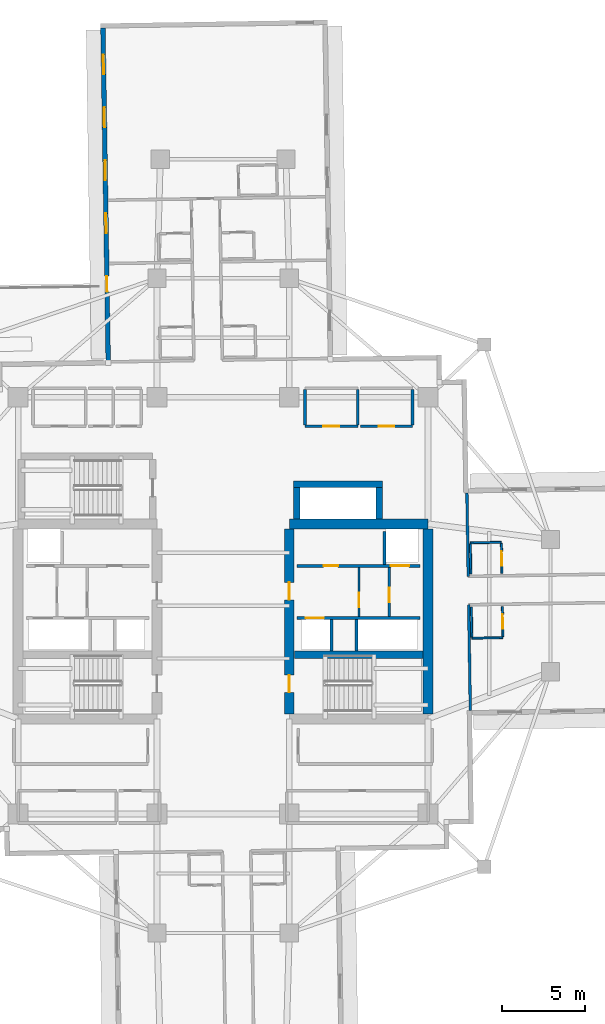
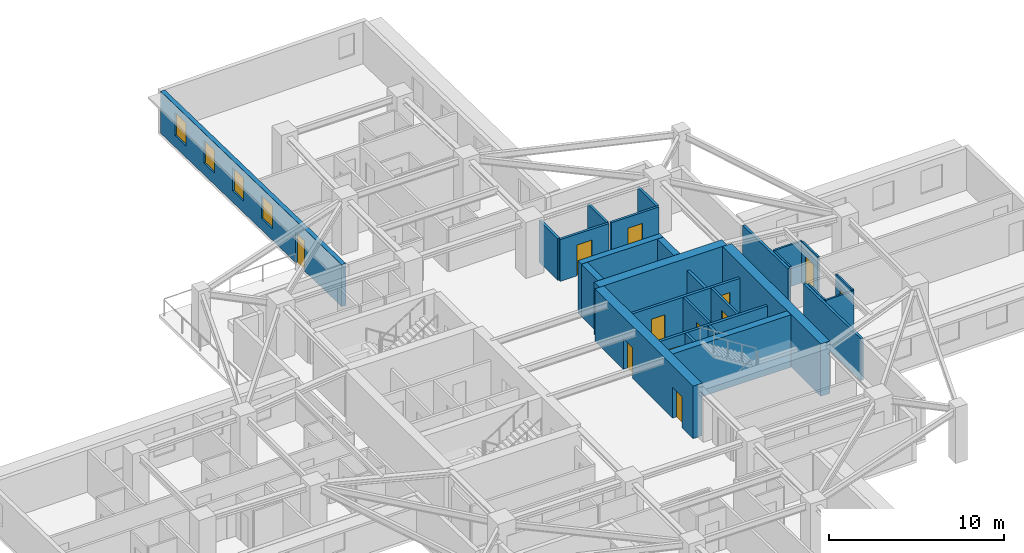
# One storey, part 6 of 13: 28 walls, 12 doors, 4 windows, 16 openings.
"""IFC4 building model written with IfcOpenShell, lengths in metres."""

from ifc_helpers import new_model, si_unit, direction, frame, frame_2d, origin, place, context, subcontext, project, spatial, rectangle, extrude, material, layer, layer_set, type_object, element, fill, save


model = new_model("IFC4")

# Units and contexts
model_context = context("Model", 3, precision=1e-05, world=origin(), true_north=direction((0.0, 1.0)))
body_context = subcontext(model_context, "Body", "Model", "MODEL_VIEW")
ifc_project = project(units=[si_unit("LENGTHUNIT", "METRE"), si_unit("AREAUNIT", "SQUARE_METRE"), si_unit("VOLUMEUNIT", "CUBIC_METRE"), si_unit("PLANEANGLEUNIT", "RADIAN"), si_unit("MASSUNIT", "GRAM", prefix="KILO")], contexts=[model_context])

# Site, building, storey
site_placement = place(None, origin())
site = spatial("IfcSite", under=ifc_project, at=site_placement, CompositionType="ELEMENT")
building_placement = place(site_placement, origin())
building = spatial("IfcBuilding", under=site, at=building_placement, Name="Qingluan Cross Belvedere", CompositionType="ELEMENT")
storey_placement = place(building_placement, frame((0.0, 0.0, 139.800048828125)))
storey = spatial("IfcBuildingStorey", under=building, at=storey_placement, Name="L35", CompositionType="ELEMENT", Elevation=139.800048828125)

# Walls
ifc_material_1 = material(Name="Concrete C50", Category="concrete")
ifc_layer_1 = layer(ifc_material_1, 0.449951171875, Name="CoreShearWall_450")
ifc_layer_set_1 = layer_set([ifc_layer_1], Name="Concrete C50")
wall_type_1 = type_object("IfcWallType", Name="CoreShearWall_450", PredefinedType="SHEAR", material=ifc_layer_set_1)
wall_1_placement = place(storey_placement, frame((4.304931640625, -2.9599609375, 0.0), z_axis=(0.0, 0.0, 1.0), x_axis=(1.0, 0.0, 0.0)))
element("IfcWall", 1, at=wall_1_placement, inside=storey, type_object=wall_type_1, Name="Split core E shear wall L35-M", PredefinedType="SHEAR", context=body_context, shape_type="SweptSolid", body=[
    extrude(rectangle(XDim=7.7900390625, YDim=0.449951171875, at=frame_2d((3.89501953125, 0.0))), origin(), (0.0, 0.0, 1.0), 3.64990234375),
])
wall_2_placement = place(storey_placement, frame((4.449951171875, 5.2548828125, 0.0), z_axis=(0.0, 0.0, 1.0), x_axis=(0.0, 1.0, 0.0)))
element("IfcWall", 2, at=wall_2_placement, inside=storey, type_object=wall_type_1, Name="Express shuttle core wall L35-W", PredefinedType="SHEAR", context=body_context, shape_type="SweptSolid", body=[
    extrude(rectangle(XDim=1.885009765625, YDim=0.39990234375, at=frame_2d((0.9423828125, 0.0))), origin(), (0.0, 0.0, 1.0), 3.64990234375),
])
wall_3_placement = place(storey_placement, frame((4.25, 7.35009765625, 0.0), z_axis=(0.0, 0.0, 1.0), x_axis=(1.0, 0.0, 0.0)))
element("IfcWall", 3, at=wall_3_placement, inside=storey, type_object=wall_type_1, Name="Express shuttle core wall L35-N", PredefinedType="SHEAR", context=body_context, shape_type="SweptSolid", body=[
    extrude(rectangle(XDim=5.39990234375, YDim=0.39990234375, at=frame_2d((2.699951171875, 0.0))), origin(), (0.0, 0.0, 1.0), 3.64990234375),
])
wall_4_placement = place(storey_placement, frame((9.449951171875, 5.2548828125, 0.0), z_axis=(0.0, 0.0, 1.0), x_axis=(0.0, 1.0, 0.0)))
element("IfcWall", 4, at=wall_4_placement, inside=storey, type_object=wall_type_1, Name="Express shuttle core wall L35-E", PredefinedType="SHEAR", context=body_context, shape_type="SweptSolid", body=[
    extrude(rectangle(XDim=1.885009765625, YDim=0.39990234375, at=frame_2d((0.9423828125, 0.0))), origin(), (0.0, 0.0, 1.0), 3.64990234375),
])
ifc_material_2 = material(Name="Concrete C60", Category="concrete")
ifc_layer_2 = layer(ifc_material_2, 0.60009765625, Name="CoreShearWall_600")
ifc_layer_set_2 = layer_set([ifc_layer_2], Name="Concrete C60")
wall_type_2 = type_object("IfcWallType", Name="CoreShearWall_600", PredefinedType="SHEAR", material=ifc_layer_set_2)
wall_5_placement = place(storey_placement, frame((4.0, 4.949951171875, 0.0), z_axis=(0.0, 0.0, 1.0), x_axis=(1.0, 0.0, 0.0)))
element("IfcWall", 5, at=wall_5_placement, inside=storey, type_object=wall_type_2, Name="Split core E shear wall L35-N", PredefinedType="SHEAR", context=body_context, shape_type="SweptSolid", body=[
    extrude(rectangle(XDim=8.39990234375, YDim=0.60009765625, at=frame_2d((4.199951171875, 0.0))), origin(), (0.0, 0.0, 1.0), 3.64990234375),
])

# Wall, openings, doors
wall_6_placement = place(storey_placement, frame((4.0, -6.544921875, 0.0), z_axis=(0.0, 0.0, 1.0), x_axis=(0.0, 1.0, 0.0)))
wall_6 = element("IfcWall", 6, at=wall_6_placement, inside=storey, type_object=wall_type_2, Name="Split core E shear wall L35-W", PredefinedType="SHEAR", context=body_context, shape_type="SweptSolid", body=[
    extrude(rectangle(XDim=11.18994140625, YDim=0.60009765625, at=frame_2d((5.594970703125, 0.0))), origin(), (0.0, 0.0, 1.0), 3.64990234375),
])
opening_1_placement = place(wall_6_placement, frame((1.294921875, 0.0, 0.0)))
opening_1 = element("IfcOpeningElement", 7, at=opening_1_placement, cuts=wall_6, Name="Opening FD-B11", PredefinedType="OPENING", context=body_context, shape_type="SweptSolid", body=[
    extrude(rectangle(XDim=1.050048828125, YDim=2.14990234375, at=frame_2d((0.52490234375, 1.074951171875))), frame((0.0, 0.31005859375, 0.0), z_axis=(0.0, -1.0, 0.0), x_axis=(1.0, 0.0, 0.0)), (0.0, 0.0, 1.0), 0.6201171875),
])
opening_2_placement = place(wall_6_placement, frame((6.89501953125, 0.0, 0.0)))
opening_2 = element("IfcOpeningElement", 8, at=opening_2_placement, cuts=wall_6, Name="Opening FD-B11", PredefinedType="OPENING", context=body_context, shape_type="SweptSolid", body=[
    extrude(rectangle(XDim=1.050048828125, YDim=2.14990234375, at=frame_2d((0.52490234375, 1.074951171875))), frame((0.0, 0.31005859375, 0.0), z_axis=(0.0, -1.0, 0.0), x_axis=(1.0, 0.0, 0.0)), (0.0, 0.0, 1.0), 0.6201171875),
])
ifc_material_3 = material(Name="Steel Class B smoke-seal fire door", Category="steel")
door_type_1 = type_object("IfcDoorType", Name="StairLobbyFireDoor_FDB", OperationType="NOTDEFINED", PredefinedType="DOOR", material=ifc_material_3)
door_1_placement = place(opening_1_placement, origin())
door_1 = element("IfcDoor", 9, at=door_1_placement, inside=storey, type_object=door_type_1, Name="Smoke-proof stair ST2 fire door L35", OperationType="SINGLE_SWING_RIGHT", OverallHeight=2.14990234375, OverallWidth=1.050048828125, PredefinedType="DOOR", context=body_context, shape_type="SweptSolid", body=[
    extrude(rectangle(XDim=1.050048828125, YDim=2.14990234375, at=frame_2d((0.52490234375, 1.074951171875))), frame((0.0, 0.02490234375, 0.0), z_axis=(0.0, -1.0, 0.0), x_axis=(1.0, 0.0, 0.0)), (0.0, 0.0, 1.0), 0.050048828125),
])
fill(opening_1, door_1)
door_2_placement = place(opening_2_placement, origin())
door_2 = element("IfcDoor", 10, at=door_2_placement, inside=storey, type_object=door_type_1, Name="Firefighting lobby East fire door L35", OperationType="SINGLE_SWING_RIGHT", OverallHeight=2.14990234375, OverallWidth=1.050048828125, PredefinedType="DOOR", context=body_context, shape_type="SweptSolid", body=[
    extrude(rectangle(XDim=1.050048828125, YDim=2.14990234375, at=frame_2d((0.52490234375, 1.074951171875))), frame((0.0, 0.02490234375, 0.0), z_axis=(0.0, -1.0, 0.0), x_axis=(1.0, 0.0, 0.0)), (0.0, 0.0, 1.0), 0.050048828125),
])
fill(opening_2, door_2)

# Wall
wall_7_placement = place(storey_placement, frame((12.39990234375, -6.544921875, 0.0), z_axis=(0.0, 0.0, 1.0), x_axis=(0.0, 1.0, 0.0)))
element("IfcWall", 11, at=wall_7_placement, inside=storey, type_object=wall_type_2, Name="Split core E shear wall L35-E", PredefinedType="SHEAR", context=body_context, shape_type="SweptSolid", body=[
    extrude(rectangle(XDim=11.18994140625, YDim=0.60009765625, at=frame_2d((5.594970703125, 0.0))), origin(), (0.0, 0.0, 1.0), 3.64990234375),
])

# Wall, opening, door
ifc_material_4 = material(Name="Gypsum plasterboard on steel stud acoustic partition", Category="steel")
ifc_layer_3 = layer(ifc_material_4, 0.159912109375, Name="CorridorPartition_160")
ifc_layer_set_3 = layer_set([ifc_layer_3], Name="Gypsum plasterboard on steel stud acoustic partition")
wall_type_3 = type_object("IfcWallType", Name="CorridorPartition_160", PredefinedType="PARTITIONING", material=ifc_layer_set_3)
wall_8_placement = place(storey_placement, frame((10.050048828125, -0.652099609375, 0.0), z_axis=(0.0, 0.0, 1.0), x_axis=(0.0, 1.0, 0.0)))
wall_8 = element("IfcWall", 12, at=wall_8_placement, inside=storey, type_object=wall_type_3, Name="Partition L35:ev", PredefinedType="PARTITIONING", context=body_context, shape_type="SweptSolid", body=[
    extrude(rectangle(XDim=2.962158203125, YDim=0.139892578125, at=frame_2d((1.48095703125, 0.0))), origin(), (0.0, 0.0, 1.0), 2.909912109375),
])
opening_3_placement = place(wall_8_placement, frame((0.85009765625, 0.0, 0.0)))
opening_3 = element("IfcOpeningElement", 13, at=opening_3_placement, cuts=wall_8, Name="Opening FD-B10", PredefinedType="OPENING", context=body_context, shape_type="SweptSolid", body=[
    extrude(rectangle(XDim=0.8798828125, YDim=2.10009765625, at=frame_2d((0.43994140625, 1.050048828125))), frame((0.0, 0.079833984375, 0.0), z_axis=(0.0, -1.0, 0.0), x_axis=(1.0, 0.0, 0.0)), (0.0, 0.0, 1.0), 0.159912109375),
])
ifc_material_5 = material(Name="Steel Class B service fire door", Category="steel")
door_type_2 = type_object("IfcDoorType", Name="RiserServiceFireDoor_FDB", OperationType="NOTDEFINED", PredefinedType="DOOR", material=ifc_material_5)
door_3_placement = place(opening_3_placement, origin())
door_3 = element("IfcDoor", 14, at=door_3_placement, inside=storey, type_object=door_type_2, Name="Service closet inner door L35", OperationType="SINGLE_SWING_LEFT", OverallHeight=2.10009765625, OverallWidth=0.8798828125, PredefinedType="DOOR", context=body_context, shape_type="SweptSolid", body=[
    extrude(rectangle(XDim=0.8798828125, YDim=2.10009765625, at=frame_2d((0.43994140625, 1.050048828125))), frame((0.0, 0.02490234375, 0.0), z_axis=(0.0, -1.0, 0.0), x_axis=(1.0, 0.0, 0.0)), (0.0, 0.0, 1.0), 0.050048828125),
])
fill(opening_3, door_3)

wall_9_placement = place(storey_placement, frame((4.949951171875, 10.85009765625, 0.0), z_axis=(0.0, 0.0, 1.0), x_axis=(1.0, 0.0, 0.0)))
wall_9 = element("IfcWall", 15, at=wall_9_placement, inside=storey, type_object=wall_type_3, Name="Partition L35:q_ne1:S", PredefinedType="PARTITIONING", context=body_context, shape_type="SweptSolid", body=[
    extrude(rectangle(XDim=3.199951171875, YDim=0.159912109375, at=frame_2d((1.60009765625, 0.0))), origin(), (0.0, 0.0, 1.0), 2.909912109375),
])
opening_4_placement = place(wall_9_placement, frame((1.1201171875, 0.0, 0.0)))
opening_4 = element("IfcOpeningElement", 16, at=opening_4_placement, cuts=wall_9, Name="Opening GD-10", PredefinedType="OPENING", context=body_context, shape_type="SweptSolid", body=[
    extrude(rectangle(XDim=0.9599609375, YDim=2.14990234375, at=frame_2d((0.47998046875, 1.074951171875))), frame((0.0, 0.08984375, 0.0), z_axis=(0.0, -1.0, 0.0), x_axis=(1.0, 0.0, 0.0)), (0.0, 0.0, 1.0), 0.179931640625),
])
ifc_material_6 = material(Name="Timber oak fire-rated acoustic guestroom door", Category="wood")
door_type_3 = type_object("IfcDoorType", Name="GuestEntryDoor_FD60", OperationType="NOTDEFINED", PredefinedType="DOOR", material=ifc_material_6)
door_4_placement = place(opening_4_placement, origin())
door_4 = element("IfcDoor", 17, at=door_4_placement, inside=storey, type_object=door_type_3, Name="Boardroom seminar suite L35 door", OperationType="SINGLE_SWING_LEFT", OverallHeight=2.14990234375, OverallWidth=0.9599609375, PredefinedType="DOOR", context=body_context, shape_type="SweptSolid", body=[
    extrude(rectangle(XDim=0.9599609375, YDim=2.14990234375, at=frame_2d((0.47998046875, 1.074951171875))), frame((0.0, 0.02490234375, 0.0), z_axis=(0.0, -1.0, 0.0), x_axis=(1.0, 0.0, 0.0)), (0.0, 0.0, 1.0), 0.050048828125),
])
fill(opening_4, door_4)

# Walls
for number, where, z_axis, x_axis, name in (
    (18, (4.949951171875, 10.93505859375, 0.0), (0.0, 0.0, 1.0), (0.0, 1.0, 0.0), "Partition L35:q_ne1:W"),
    (19, (8.14990234375, 10.93505859375, 0.0), (0.0, 0.0, 1.0), (0.0, 1.0, 0.0), "Partition L35:q_ne1:E"),
):
    element("IfcWall", number, at=place(storey_placement, frame(where, z_axis=z_axis, x_axis=x_axis)), inside=storey, type_object=wall_type_3, Name=name, PredefinedType="PARTITIONING", context=body_context, shape_type="SweptSolid", body=[
        extrude(rectangle(XDim=2.1298828125, YDim=0.159912109375, at=frame_2d((1.06494140625, 0.0))), origin(), (0.0, 0.0, 1.0), 2.909912109375),
    ])

# Wall, opening, door
wall_10_placement = place(storey_placement, frame((8.31005859375, 10.85009765625, 0.0), z_axis=(0.0, 0.0, 1.0), x_axis=(1.0, 0.0, 0.0)))
wall_10 = element("IfcWall", 20, at=wall_10_placement, inside=storey, type_object=wall_type_3, Name="Partition L35:q_ne2:S", PredefinedType="PARTITIONING", context=body_context, shape_type="SweptSolid", body=[
    extrude(rectangle(XDim=3.139892578125, YDim=0.159912109375, at=frame_2d((1.56982421875, 0.0))), origin(), (0.0, 0.0, 1.0), 2.909912109375),
])
opening_5_placement = place(wall_10_placement, frame((1.090087890625, 0.0, 0.0)))
opening_5 = element("IfcOpeningElement", 21, at=opening_5_placement, cuts=wall_10, Name="Opening GD-10", PredefinedType="OPENING", context=body_context, shape_type="SweptSolid", body=[
    extrude(rectangle(XDim=0.9599609375, YDim=2.14990234375, at=frame_2d((0.47998046875, 1.074951171875))), frame((0.0, 0.08984375, 0.0), z_axis=(0.0, -1.0, 0.0), x_axis=(1.0, 0.0, 0.0)), (0.0, 0.0, 1.0), 0.179931640625),
])
door_5_placement = place(opening_5_placement, origin())
door_5 = element("IfcDoor", 22, at=door_5_placement, inside=storey, type_object=door_type_3, Name="Northeast quiet study L35 door", OperationType="SINGLE_SWING_RIGHT", OverallHeight=2.14990234375, OverallWidth=0.9599609375, PredefinedType="DOOR", context=body_context, shape_type="SweptSolid", body=[
    extrude(rectangle(XDim=0.9599609375, YDim=2.14990234375, at=frame_2d((0.47998046875, 1.074951171875))), frame((0.0, 0.02490234375, 0.0), z_axis=(0.0, -1.0, 0.0), x_axis=(1.0, 0.0, 0.0)), (0.0, 0.0, 1.0), 0.050048828125),
])
fill(opening_5, door_5)

# Walls
wall_11_placement = place(storey_placement, frame((11.449951171875, 10.93505859375, 0.0), z_axis=(0.0, 0.0, 1.0), x_axis=(0.0, 1.0, 0.0)))
element("IfcWall", 23, at=wall_11_placement, inside=storey, type_object=wall_type_3, Name="Partition L35:q_ne2:E", PredefinedType="PARTITIONING", context=body_context, shape_type="SweptSolid", body=[
    extrude(rectangle(XDim=2.1298828125, YDim=0.159912109375, at=frame_2d((1.06494140625, 0.0))), origin(), (0.0, 0.0, 1.0), 2.909912109375),
])
wall_12_placement = place(storey_placement, frame((14.823974609375, 1.773193359375, 0.0), z_axis=(0.0, 0.0, 1.0), x_axis=(-0.015720106939, 0.999876431484, 0.0)))
element("IfcWall", 24, at=wall_12_placement, inside=storey, type_object=wall_type_3, Name="Partition L35:E:s0", PredefinedType="PARTITIONING", context=body_context, shape_type="SweptSolid", body=[
    extrude(rectangle(XDim=5.031982421875, YDim=0.159912109375, at=frame_2d((2.51611328125, 0.0))), origin(), (0.0, 0.0, 1.0), 2.909912109375),
])
wall_13_placement = place(storey_placement, frame((14.85107421875, 0.05322265625, 0.0), z_axis=(0.0, 0.0, 1.0), x_axis=(0.015698271615, -0.999876774542, 0.0)))
element("IfcWall", 25, at=wall_13_placement, inside=storey, type_object=wall_type_3, Name="Partition L35:E:s1", PredefinedType="PARTITIONING", context=body_context, shape_type="SweptSolid", body=[
    extrude(rectangle(XDim=6.391845703125, YDim=0.159912109375, at=frame_2d((3.19580078125, 0.0))), origin(), (0.0, 0.0, 1.0), 2.909912109375),
])

# Wall, opening, door
ifc_material_7 = material(Name="Moisture-resistant gypsum board lining")
ifc_layer_4 = layer(ifc_material_7, 0.1201171875, Name="EnsuiteWetPartition_120")
ifc_layer_set_4 = layer_set([ifc_layer_4], Name="Moisture-resistant gypsum board lining")
wall_type_4 = type_object("IfcWallType", Name="EnsuiteWetPartition_120", PredefinedType="PARTITIONING", material=ifc_layer_set_4)
wall_14_placement = place(storey_placement, frame((16.861572265625, 1.945068359375, 0.0), z_axis=(0.0, 0.0, 1.0), x_axis=(-0.015694337248, 0.999876836305, 0.0)))
wall_14 = element("IfcWall", 26, at=wall_14_placement, inside=storey, type_object=wall_type_4, Name="Partition L35:E:bs0_0", PredefinedType="PARTITIONING", context=body_context, shape_type="SweptSolid", body=[
    extrude(rectangle(XDim=1.820068359375, YDim=0.1201171875, at=frame_2d((0.91015625, 0.0))), origin(), (0.0, 0.0, 1.0), 2.909912109375),
])
opening_6_placement = place(wall_14_placement, frame((0.469970703125, 0.0, 0.0)))
opening_6 = element("IfcOpeningElement", 27, at=opening_6_placement, cuts=wall_14, Name="Opening BD-09", PredefinedType="OPENING", context=body_context, shape_type="SweptSolid", body=[
    extrude(rectangle(XDim=0.8798828125, YDim=2.10009765625, at=frame_2d((0.43994140625, 1.050048828125))), frame((0.0, 0.070068359375, 0.0), z_axis=(0.0, -1.0, 0.0), x_axis=(1.0, 0.0, 0.0)), (0.0, 0.0, 1.0), 0.14013671875),
])
ifc_material_8 = material(Name="Moisture-sealed timber en-suite door", Category="wood")
door_type_4 = type_object("IfcDoorType", Name="BathroomDoor_880", OperationType="NOTDEFINED", PredefinedType="DOOR", material=ifc_material_8)
door_6_placement = place(opening_6_placement, origin())
door_6 = element("IfcDoor", 28, at=door_6_placement, inside=storey, type_object=door_type_4, Name="Bathroom door 3501", OperationType="SINGLE_SWING_LEFT", OverallHeight=2.10009765625, OverallWidth=0.8798828125, PredefinedType="DOOR", context=body_context, shape_type="SweptSolid", body=[
    extrude(rectangle(XDim=0.8798828125, YDim=2.10009765625, at=frame_2d((0.43994140625, 1.050048828125))), frame((0.0, 0.02490234375, 0.0), z_axis=(0.0, -1.0, 0.0), x_axis=(1.0, 0.0, 0.0)), (0.0, 0.0, 1.0), 0.050048828125),
])
fill(opening_6, door_6)

# Walls
wall_15_placement = place(storey_placement, frame((14.981689453125, 1.91552734375, 0.0), z_axis=(0.0, 0.0, 1.0), x_axis=(-0.015694337248, 0.999876836305, 0.0)))
element("IfcWall", 29, at=wall_15_placement, inside=storey, type_object=wall_type_4, Name="Partition L35:E:bw0_0", PredefinedType="PARTITIONING", context=body_context, shape_type="SweptSolid", body=[
    extrude(rectangle(XDim=1.820068359375, YDim=0.1201171875, at=frame_2d((0.91015625, 0.0))), origin(), (0.0, 0.0, 1.0), 2.909912109375),
])
wall_16_placement = place(storey_placement, frame((14.9521484375, 3.80029296875, 0.0), z_axis=(0.0, 0.0, 1.0), x_axis=(0.99987652141, 0.015714386166, 0.0)))
element("IfcWall", 30, at=wall_16_placement, inside=storey, type_object=wall_type_4, Name="Partition L35:E:bn0_0", PredefinedType="PARTITIONING", context=body_context, shape_type="SweptSolid", body=[
    extrude(rectangle(XDim=1.8798828125, YDim=0.1201171875, at=frame_2d((0.93994140625, 0.0))), origin(), (0.0, 0.0, 1.0), 2.909912109375),
])

# Wall, opening, door
wall_17_placement = place(storey_placement, frame((16.92138671875, -1.87451171875, 0.0), z_axis=(0.0, 0.0, 1.0), x_axis=(-0.015694337248, 0.999876836305, 0.0)))
wall_17 = element("IfcWall", 31, at=wall_17_placement, inside=storey, type_object=wall_type_4, Name="Partition L35:E:bs1_0", PredefinedType="PARTITIONING", context=body_context, shape_type="SweptSolid", body=[
    extrude(rectangle(XDim=1.820068359375, YDim=0.1201171875, at=frame_2d((0.91015625, 0.0))), origin(), (0.0, 0.0, 1.0), 2.909912109375),
])
opening_7_placement = place(wall_17_placement, frame((0.469970703125, 0.0, 0.0)))
opening_7 = element("IfcOpeningElement", 32, at=opening_7_placement, cuts=wall_17, Name="Opening BD-09", PredefinedType="OPENING", context=body_context, shape_type="SweptSolid", body=[
    extrude(rectangle(XDim=0.8798828125, YDim=2.10009765625, at=frame_2d((0.43994140625, 1.050048828125))), frame((0.0, 0.070068359375, 0.0), z_axis=(0.0, -1.0, 0.0), x_axis=(1.0, 0.0, 0.0)), (0.0, 0.0, 1.0), 0.14013671875),
])
door_7_placement = place(opening_7_placement, origin())
door_7 = element("IfcDoor", 33, at=door_7_placement, inside=storey, type_object=door_type_4, Name="Bathroom door 3502", OperationType="SINGLE_SWING_LEFT", OverallHeight=2.10009765625, OverallWidth=0.8798828125, PredefinedType="DOOR", context=body_context, shape_type="SweptSolid", body=[
    extrude(rectangle(XDim=0.8798828125, YDim=2.10009765625, at=frame_2d((0.43994140625, 1.050048828125))), frame((0.0, 0.02490234375, 0.0), z_axis=(0.0, -1.0, 0.0), x_axis=(1.0, 0.0, 0.0)), (0.0, 0.0, 1.0), 0.050048828125),
])
fill(opening_7, door_7)

# Walls
wall_18_placement = place(storey_placement, frame((15.041748046875, -1.904052734375, 0.0), z_axis=(0.0, 0.0, 1.0), x_axis=(-0.015694337248, 0.999876836305, 0.0)))
element("IfcWall", 34, at=wall_18_placement, inside=storey, type_object=wall_type_4, Name="Partition L35:E:bw1_0", PredefinedType="PARTITIONING", context=body_context, shape_type="SweptSolid", body=[
    extrude(rectangle(XDim=1.820068359375, YDim=0.1201171875, at=frame_2d((0.91015625, 0.0))), origin(), (0.0, 0.0, 1.0), 2.909912109375),
])
wall_19_placement = place(storey_placement, frame((15.042724609375, -1.968994140625, 0.0), z_axis=(0.0, 0.0, 1.0), x_axis=(0.999876553475, 0.01571234584, 0.0)))
element("IfcWall", 35, at=wall_19_placement, inside=storey, type_object=wall_type_4, Name="Partition L35:E:bc1_0", PredefinedType="PARTITIONING", context=body_context, shape_type="SweptSolid", body=[
    extrude(rectangle(XDim=1.880126953125, YDim=0.1201171875, at=frame_2d((0.93994140625, 0.0))), origin(), (0.0, 0.0, 1.0), 2.909912109375),
])

# Wall, openings, windows, door
ifc_material_9 = material(Name="Precast concrete C45", Category="concrete")
ifc_layer_5 = layer(ifc_material_9, 0.280029296875, Name="PrecastFacadeWall_280")
ifc_layer_set_5 = layer_set([ifc_layer_5], Name="Precast concrete C45")
wall_type_5 = type_object("IfcWallType", Name="PrecastFacadeWall_280", PredefinedType="STANDARD", material=ifc_layer_set_5)
wall_20_placement = place(storey_placement, frame((-7.26953125, 34.93017578125, 0.0), z_axis=(0.0, 0.0, 1.0), x_axis=(0.015705059908, -0.999876667941, 0.0)))
wall_20 = element("IfcWall", 36, at=wall_20_placement, inside=storey, type_object=wall_type_5, Name="Facade wall L35-NB", PredefinedType="STANDARD", context=body_context, shape_type="SweptSolid", body=[
    extrude(rectangle(XDim=20.10009765625, YDim=0.280029296875, at=frame_2d((10.050048828125, 0.0))), origin(), (0.0, 0.0, 1.0), 2.919921875),
])
opening_8_placement = place(wall_20_placement, frame((1.60009765625, 0.0, 0.800048828125)))
opening_8 = element("IfcOpeningElement", 37, at=opening_8_placement, cuts=wall_20, Name="Opening W-02", PredefinedType="OPENING", context=body_context, shape_type="SweptSolid", body=[
    extrude(rectangle(XDim=1.199951171875, YDim=1.60009765625, at=frame_2d((0.60009765625, 0.800048828125))), frame((0.0, 0.14990234375, 0.0), z_axis=(0.0, -1.0, 0.0), x_axis=(1.0, 0.0, 0.0)), (0.0, 0.0, 1.0), 0.300048828125),
])
opening_9_placement = place(wall_20_placement, frame((4.800048828125, 0.0, 0.800048828125)))
opening_9 = element("IfcOpeningElement", 38, at=opening_9_placement, cuts=wall_20, Name="Opening W-02", PredefinedType="OPENING", context=body_context, shape_type="SweptSolid", body=[
    extrude(rectangle(XDim=1.199951171875, YDim=1.60009765625, at=frame_2d((0.60009765625, 0.800048828125))), frame((0.0, 0.14990234375, 0.0), z_axis=(0.0, -1.0, 0.0), x_axis=(1.0, 0.0, 0.0)), (0.0, 0.0, 1.0), 0.300048828125),
])
opening_10_placement = place(wall_20_placement, frame((8.0, 0.0, 0.800048828125)))
opening_10 = element("IfcOpeningElement", 39, at=opening_10_placement, cuts=wall_20, Name="Opening W-02", PredefinedType="OPENING", context=body_context, shape_type="SweptSolid", body=[
    extrude(rectangle(XDim=1.199951171875, YDim=1.60009765625, at=frame_2d((0.60009765625, 0.800048828125))), frame((0.0, 0.14990234375, 0.0), z_axis=(0.0, -1.0, 0.0), x_axis=(1.0, 0.0, 0.0)), (0.0, 0.0, 1.0), 0.300048828125),
])
opening_11_placement = place(wall_20_placement, frame((11.199951171875, 0.0, 0.800048828125)))
opening_11 = element("IfcOpeningElement", 40, at=opening_11_placement, cuts=wall_20, Name="Opening W-02", PredefinedType="OPENING", context=body_context, shape_type="SweptSolid", body=[
    extrude(rectangle(XDim=1.199951171875, YDim=1.60009765625, at=frame_2d((0.60009765625, 0.800048828125))), frame((0.0, 0.14990234375, 0.0), z_axis=(0.0, -1.0, 0.0), x_axis=(1.0, 0.0, 0.0)), (0.0, 0.0, 1.0), 0.300048828125),
])
opening_12_placement = place(wall_20_placement, frame((15.0, 0.0, 0.0)))
opening_12 = element("IfcOpeningElement", 41, at=opening_12_placement, cuts=wall_20, Name="Opening WD-10", PredefinedType="OPENING", context=body_context, shape_type="SweptSolid", body=[
    extrude(rectangle(XDim=0.9599609375, YDim=2.10009765625, at=frame_2d((0.47998046875, 1.050048828125))), frame((0.0, 0.14990234375, 0.0), z_axis=(0.0, -1.0, 0.0), x_axis=(1.0, 0.0, 0.0)), (0.0, 0.0, 1.0), 0.300048828125),
])
ifc_material_10 = material(Name="Thermally broken triple Low-E glass in aluminium frame", Category="aluminium")
window_type = type_object("IfcWindowType", Name="TriRibbonWin_1200x1600", PartitioningType="SINGLE_PANEL", PredefinedType="WINDOW", material=ifc_material_10)
window_1_placement = place(opening_8_placement, origin())
window_1 = element("IfcWindow", 42, at=window_1_placement, inside=storey, type_object=window_type, Name="Ribbon window L35-NB-1", OverallHeight=1.60009765625, OverallWidth=1.199951171875, PartitioningType="SINGLE_PANEL", PredefinedType="WINDOW", context=body_context, shape_type="SweptSolid", body=[
    extrude(rectangle(XDim=1.199951171875, YDim=1.60009765625, at=frame_2d((0.60009765625, 0.800048828125))), frame((0.0, 0.030029296875, 0.0), z_axis=(0.0, -1.0, 0.0), x_axis=(1.0, 0.0, 0.0)), (0.0, 0.0, 1.0), 0.06005859375),
])
fill(opening_8, window_1)
window_2_placement = place(opening_9_placement, origin())
window_2 = element("IfcWindow", 43, at=window_2_placement, inside=storey, type_object=window_type, Name="Ribbon window L35-NB-2", OverallHeight=1.60009765625, OverallWidth=1.199951171875, PartitioningType="SINGLE_PANEL", PredefinedType="WINDOW", context=body_context, shape_type="SweptSolid", body=[
    extrude(rectangle(XDim=1.199951171875, YDim=1.60009765625, at=frame_2d((0.60009765625, 0.800048828125))), frame((0.0, 0.030029296875, 0.0), z_axis=(0.0, -1.0, 0.0), x_axis=(1.0, 0.0, 0.0)), (0.0, 0.0, 1.0), 0.06005859375),
])
fill(opening_9, window_2)
window_3_placement = place(opening_10_placement, origin())
window_3 = element("IfcWindow", 44, at=window_3_placement, inside=storey, type_object=window_type, Name="Ribbon window L35-NB-3", OverallHeight=1.60009765625, OverallWidth=1.199951171875, PartitioningType="SINGLE_PANEL", PredefinedType="WINDOW", context=body_context, shape_type="SweptSolid", body=[
    extrude(rectangle(XDim=1.199951171875, YDim=1.60009765625, at=frame_2d((0.60009765625, 0.800048828125))), frame((0.0, 0.030029296875, 0.0), z_axis=(0.0, -1.0, 0.0), x_axis=(1.0, 0.0, 0.0)), (0.0, 0.0, 1.0), 0.06005859375),
])
fill(opening_10, window_3)
window_4_placement = place(opening_11_placement, origin())
window_4 = element("IfcWindow", 45, at=window_4_placement, inside=storey, type_object=window_type, Name="Ribbon window L35-NB-4", OverallHeight=1.60009765625, OverallWidth=1.199951171875, PartitioningType="SINGLE_PANEL", PredefinedType="WINDOW", context=body_context, shape_type="SweptSolid", body=[
    extrude(rectangle(XDim=1.199951171875, YDim=1.60009765625, at=frame_2d((0.60009765625, 0.800048828125))), frame((0.0, 0.030029296875, 0.0), z_axis=(0.0, -1.0, 0.0), x_axis=(1.0, 0.0, 0.0)), (0.0, 0.0, 1.0), 0.06005859375),
])
fill(opening_11, window_4)
ifc_material_11 = material(Name="Thermally broken aluminium and Low-E glass", Category="aluminium")
door_type_5 = type_object("IfcDoorType", Name="WinterGardenDoor_096", OperationType="NOTDEFINED", PredefinedType="DOOR", material=ifc_material_11)
door_8_placement = place(opening_12_placement, origin())
door_8 = element("IfcDoor", 46, at=door_8_placement, inside=storey, type_object=door_type_5, Name="Outdoor terrace access door L35-spi", OperationType="SINGLE_SWING_LEFT", OverallHeight=2.10009765625, OverallWidth=0.9599609375, PredefinedType="DOOR", context=body_context, shape_type="SweptSolid", body=[
    extrude(rectangle(XDim=0.9599609375, YDim=2.10009765625, at=frame_2d((0.47998046875, 1.050048828125))), frame((0.0, 0.02490234375, 0.0), z_axis=(0.0, -1.0, 0.0), x_axis=(1.0, 0.0, 0.0)), (0.0, 0.0, 1.0), 0.050048828125),
])
fill(opening_12, door_8)

# Wall, openings, doors
ifc_material_12 = material(Name="Concrete C40", Category="concrete")
ifc_layer_6 = layer(ifc_material_12, 0.219970703125, Name="ShaftEnclosureWall_250")
ifc_layer_set_6 = layer_set([ifc_layer_6], Name="Concrete C40")
wall_type_6 = type_object("IfcWallType", Name="ShaftEnclosureWall_250", PredefinedType="SOLIDWALL", material=ifc_layer_set_6)
wall_21_placement = place(storey_placement, frame((4.47998046875, 2.409912109375, 0.0), z_axis=(0.0, 0.0, 1.0), x_axis=(1.0, 0.0, 0.0)))
wall_21 = element("IfcWall", 47, at=wall_21_placement, inside=storey, type_object=wall_type_6, Name="Core-E north hoistway wall L35", PredefinedType="SOLIDWALL", context=body_context, shape_type="SweptSolid", body=[
    extrude(rectangle(XDim=7.419921875, YDim=0.179931640625, at=frame_2d((3.7099609375, 0.0))), origin(), (0.0, 0.0, 1.0), 2.909912109375),
])
opening_13_placement = place(wall_21_placement, frame((5.669921875, 0.0, 0.0)))
opening_13 = element("IfcOpeningElement", 48, at=opening_13_placement, cuts=wall_21, Name="Opening LD-11", PredefinedType="OPENING", context=body_context, shape_type="SweptSolid", body=[
    extrude(rectangle(XDim=1.10009765625, YDim=2.14990234375, at=frame_2d((0.550048828125, 1.074951171875))), frame((0.0, 0.099853515625, 0.0), z_axis=(0.0, -1.0, 0.0), x_axis=(1.0, 0.0, 0.0)), (0.0, 0.0, 1.0), 0.199951171875),
])
opening_14_placement = place(wall_21_placement, frame((1.60009765625, 0.0, 0.0)))
opening_14 = element("IfcOpeningElement", 49, at=opening_14_placement, cuts=wall_21, Name="Opening FD-B10", PredefinedType="OPENING", context=body_context, shape_type="SweptSolid", body=[
    extrude(rectangle(XDim=0.8798828125, YDim=2.10009765625, at=frame_2d((0.43994140625, 1.050048828125))), frame((0.0, 0.099853515625, 0.0), z_axis=(0.0, -1.0, 0.0), x_axis=(1.0, 0.0, 0.0)), (0.0, 0.0, 1.0), 0.199951171875),
])
ifc_material_13 = material(Name="Brushed stainless steel centre-opening lift landing door", Category="steel")
door_type_6 = type_object("IfcDoorType", Name="LiftLandingSlidingDoor_1100", OperationType="DOUBLE_DOOR_SLIDING", PredefinedType="DOOR", material=ifc_material_13)
door_9_placement = place(opening_13_placement, origin())
door_9 = element("IfcDoor", 50, at=door_9_placement, inside=storey, type_object=door_type_6, Name="Lift landing sliding door FL2 L35", OperationType="DOUBLE_DOOR_SLIDING", OverallHeight=2.14990234375, OverallWidth=1.10009765625, PredefinedType="DOOR", context=body_context, shape_type="SweptSolid", body=[
    extrude(rectangle(XDim=1.10009765625, YDim=2.14990234375, at=frame_2d((0.550048828125, 1.074951171875))), frame((0.0, 0.02490234375, 0.0), z_axis=(0.0, -1.0, 0.0), x_axis=(1.0, 0.0, 0.0)), (0.0, 0.0, 1.0), 0.050048828125),
])
fill(opening_13, door_9)
door_10_placement = place(opening_14_placement, origin())
door_10 = element("IfcDoor", 51, at=door_10_placement, inside=storey, type_object=door_type_2, Name="Pantry room door E L35", OperationType="SINGLE_SWING_LEFT", OverallHeight=2.10009765625, OverallWidth=0.8798828125, PredefinedType="DOOR", context=body_context, shape_type="SweptSolid", body=[
    extrude(rectangle(XDim=0.8798828125, YDim=2.10009765625, at=frame_2d((0.43994140625, 1.050048828125))), frame((0.0, 0.02490234375, 0.0), z_axis=(0.0, -1.0, 0.0), x_axis=(1.0, 0.0, 0.0)), (0.0, 0.0, 1.0), 0.050048828125),
])
fill(opening_14, door_10)

# Wall, opening, door
wall_22_placement = place(storey_placement, frame((4.47998046875, -0.75, 0.0), z_axis=(0.0, 0.0, 1.0), x_axis=(1.0, 0.0, 0.0)))
wall_22 = element("IfcWall", 52, at=wall_22_placement, inside=storey, type_object=wall_type_6, Name="Core-E mid hoistway wall L35", PredefinedType="SOLIDWALL", context=body_context, shape_type="SweptSolid", body=[
    extrude(rectangle(XDim=7.419921875, YDim=0.179931640625, at=frame_2d((3.7099609375, 0.0))), origin(), (0.0, 0.0, 1.0), 2.909912109375),
])
opening_15_placement = place(wall_22_placement, frame((0.52001953125, 0.0, 0.0)))
opening_15 = element("IfcOpeningElement", 53, at=opening_15_placement, cuts=wall_22, Name="Opening LD-11", PredefinedType="OPENING", context=body_context, shape_type="SweptSolid", body=[
    extrude(rectangle(XDim=1.10009765625, YDim=2.14990234375, at=frame_2d((0.550048828125, 1.074951171875))), frame((0.0, 0.099853515625, 0.0), z_axis=(0.0, -1.0, 0.0), x_axis=(1.0, 0.0, 0.0)), (0.0, 0.0, 1.0), 0.199951171875),
])
door_11_placement = place(opening_15_placement, origin())
door_11 = element("IfcDoor", 54, at=door_11_placement, inside=storey, type_object=door_type_6, Name="Lift landing sliding door LP7 L35", OperationType="DOUBLE_DOOR_SLIDING", OverallHeight=2.14990234375, OverallWidth=1.10009765625, PredefinedType="DOOR", context=body_context, shape_type="SweptSolid", body=[
    extrude(rectangle(XDim=1.10009765625, YDim=2.14990234375, at=frame_2d((0.550048828125, 1.074951171875))), frame((0.0, 0.02490234375, 0.0), z_axis=(0.0, -1.0, 0.0), x_axis=(1.0, 0.0, 0.0)), (0.0, 0.0, 1.0), 0.050048828125),
])
fill(opening_15, door_11)

# Walls
wall_23_placement = place(storey_placement, frame((9.760009765625, 2.5, 0.0), z_axis=(0.0, 0.0, 1.0), x_axis=(0.0, 1.0, 0.0)))
element("IfcWall", 55, at=wall_23_placement, inside=storey, type_object=wall_type_6, Name="Hoistway enclosure divider FL2W L35", PredefinedType="SOLIDWALL", context=body_context, shape_type="SweptSolid", body=[
    extrude(rectangle(XDim=1.989990234375, YDim=0.179931640625, at=frame_2d((0.9951171875, 0.0))), origin(), (0.0, 0.0, 1.0), 2.909912109375),
])
for number, where, z_axis, x_axis, name in (
    (56, (6.5400390625, -2.72998046875, 0.0), (0.0, 0.0, 1.0), (0.0, 1.0, 0.0), "Hoistway enclosure divider LP7E L35"),
    (57, (8.06005859375, -2.72998046875, 0.0), (0.0, 0.0, 1.0), (0.0, 1.0, 0.0), "Hoistway enclosure divider LP9W L35"),
):
    element("IfcWall", number, at=place(storey_placement, frame(where, z_axis=z_axis, x_axis=x_axis)), inside=storey, type_object=wall_type_6, Name=name, PredefinedType="SOLIDWALL", context=body_context, shape_type="SweptSolid", body=[
        extrude(rectangle(XDim=1.889892578125, YDim=0.179931640625, at=frame_2d((0.94482421875, 0.0))), origin(), (0.0, 0.0, 1.0), 2.909912109375),
    ])

# Wall, opening, door
wall_24_placement = place(storey_placement, frame((8.219970703125, -0.64990234375, 0.0), z_axis=(0.0, 0.0, 1.0), x_axis=(0.0, 1.0, 0.0)))
wall_24 = element("IfcWall", 58, at=wall_24_placement, inside=storey, type_object=wall_type_6, Name="Core-E service corridor wall L35", PredefinedType="SOLIDWALL", context=body_context, shape_type="SweptSolid", body=[
    extrude(rectangle(XDim=2.9599609375, YDim=0.139892578125, at=frame_2d((1.47998046875, 0.0))), origin(), (0.0, 0.0, 1.0), 2.909912109375),
])
opening_16_placement = place(wall_24_placement, frame((0.550048828125, 0.0, 0.0)))
opening_16 = element("IfcOpeningElement", 59, at=opening_16_placement, cuts=wall_24, Name="Opening FD-B10", PredefinedType="OPENING", context=body_context, shape_type="SweptSolid", body=[
    extrude(rectangle(XDim=0.8798828125, YDim=2.10009765625, at=frame_2d((0.43994140625, 1.050048828125))), frame((0.0, 0.079833984375, 0.0), z_axis=(0.0, -1.0, 0.0), x_axis=(1.0, 0.0, 0.0)), (0.0, 0.0, 1.0), 0.159912109375),
])
door_12_placement = place(opening_16_placement, origin())
door_12 = element("IfcDoor", 60, at=door_12_placement, inside=storey, type_object=door_type_2, Name="Core-E service room door L35", OperationType="SINGLE_SWING_LEFT", OverallHeight=2.10009765625, OverallWidth=0.8798828125, PredefinedType="DOOR", context=body_context, shape_type="SweptSolid", body=[
    extrude(rectangle(XDim=0.8798828125, YDim=2.10009765625, at=frame_2d((0.43994140625, 1.050048828125))), frame((0.0, 0.02490234375, 0.0), z_axis=(0.0, -1.0, 0.0), x_axis=(1.0, 0.0, 0.0)), (0.0, 0.0, 1.0), 0.050048828125),
])
fill(opening_16, door_12)

save(model, "model.ifc")
